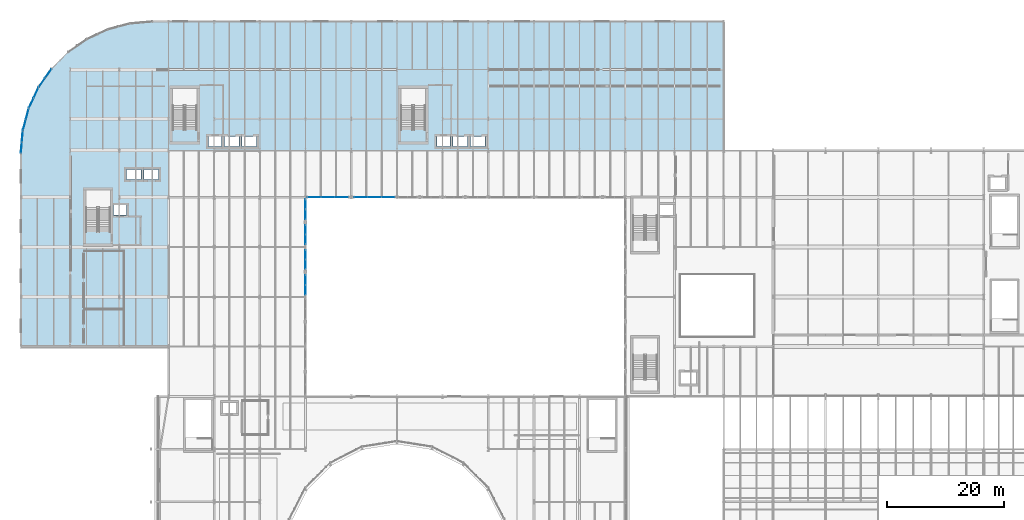
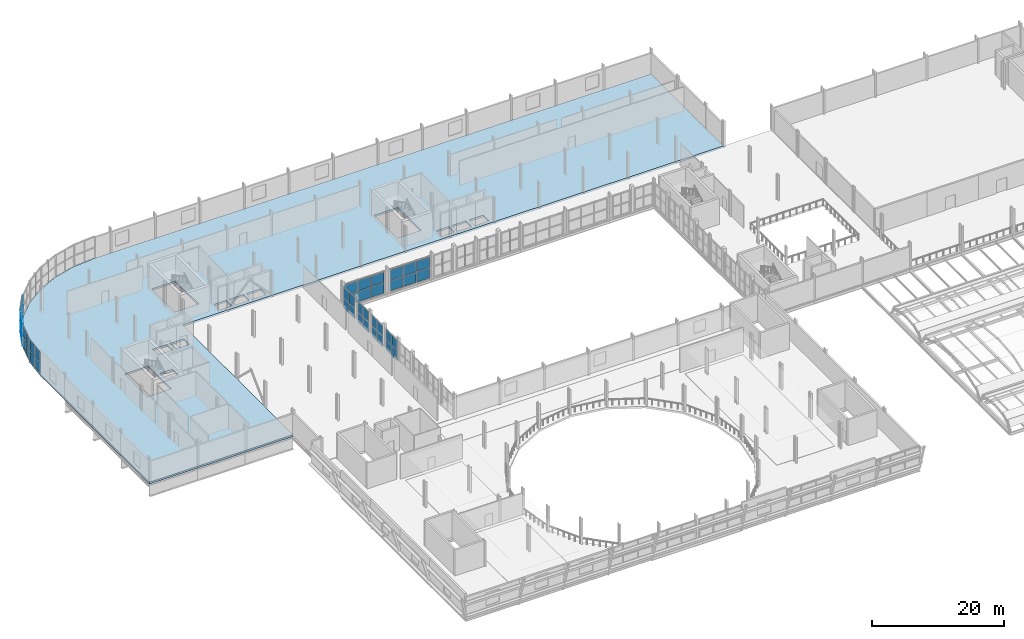
# One storey, part 37 of 63: 44 plates, 1 slab, 10 elements without a shape of their own.
"""IFC4 building model written with IfcOpenShell, lengths in metres."""

from ifc_helpers import new_model, si_unit, direction, frame, origin, origin_2d, place, context, subcontext, project, spatial, polyline, rectangle, outline, extrude, material, layer, layer_set, type_object, element, aggregate, save


model = new_model("IFC4")

# Units and contexts
model_context = context("Model", 3, precision=1e-05, world=origin(), true_north=direction((0.0, 1.0)))
body_context = subcontext(model_context, "Body", "Model", "MODEL_VIEW")
ifc_project = project(units=[si_unit("LENGTHUNIT", "METRE"), si_unit("AREAUNIT", "SQUARE_METRE"), si_unit("VOLUMEUNIT", "CUBIC_METRE"), si_unit("PLANEANGLEUNIT", "RADIAN"), si_unit("MASSUNIT", "GRAM", prefix="KILO")], contexts=[model_context])

# Site, building, storey
site_placement = place(None, origin())
site = spatial("IfcSite", under=ifc_project, at=site_placement, CompositionType="ELEMENT")
building_placement = place(site_placement, origin())
building = spatial("IfcBuilding", under=site, at=building_placement, Name="Sefraquen Railside Congress Hotel", CompositionType="ELEMENT")
storey_placement = place(building_placement, frame((0.0, 0.0, 11.39990234375)))
storey = spatial("IfcBuildingStorey", under=building, at=storey_placement, Name="L02", CompositionType="ELEMENT", Elevation=11.39990234375)

# Curtain wall, plates
ifc_material_1 = material(Name="Thermally broken anodised aluminium and low-E double glazing", Category="aluminium")
ifc_layer_1 = layer(ifc_material_1, 0.199951171875)
ifc_layer_set_1 = layer_set([ifc_layer_1], Name="Thermally broken anodised aluminium and low-E double glazing")
curtain_wall_type_1 = type_object("IfcCurtainWallType", Name="TCW-UCW-25", PredefinedType="USERDEFINED", material=ifc_layer_set_1)
curtain_wall_1_placement = place(storey_placement, origin())
curtain_wall_1 = element("IfcCurtainWall", 1, at=curtain_wall_1_placement, inside=storey, type_object=curtain_wall_type_1, Name="Courtyard north gallery curtain wall L02-1", ObjectType="UNITISED CURTAIN WALL", PredefinedType="USERDEFINED")
ifc_material_2 = material(Name="Solar-control low-E double glazing", Category="glass")
ifc_layer_2 = layer(ifc_material_2, 0.02392578125)
ifc_layer_set_2 = layer_set([ifc_layer_2], Name="Solar-control low-E double glazing")
plate_type_1 = type_object("IfcPlateType", Name="TP-CWP-01", PredefinedType="CURTAIN_PANEL", material=ifc_layer_set_2)
plate_1_placement = place(storey_placement, frame((50.078369140625, 88.0, 0.0400390625), z_axis=(0.0, 0.0, 1.0), x_axis=(1.0, 0.0, 0.0)))
plate_1 = element("IfcPlate", 2, at=plate_1_placement, type_object=plate_type_1, Name="CW-L02-057 panel 1.1", PredefinedType="CURTAIN_PANEL", context=body_context, shape_type="SweptSolid", body=[
    extrude(rectangle(XDim=2.24658203125, YDim=0.02392578125, at=origin_2d()), origin(), (0.0, 0.0, 1.0), 1.9150390625),
])
plate_2_placement = place(storey_placement, frame((52.4150390625, 88.0, 0.0400390625), z_axis=(0.0, 0.0, 1.0), x_axis=(1.0, 0.0, 0.0)))
plate_2 = element("IfcPlate", 3, at=plate_2_placement, type_object=plate_type_1, Name="CW-L02-057 panel 1.2", PredefinedType="CURTAIN_PANEL", context=body_context, shape_type="SweptSolid", body=[
    extrude(rectangle(XDim=2.24658203125, YDim=0.02392578125, at=origin_2d()), origin(), (0.0, 0.0, 1.0), 1.9150390625),
])
plate_3_placement = place(storey_placement, frame((54.751708984375, 88.0, 0.0400390625), z_axis=(0.0, 0.0, 1.0), x_axis=(1.0, 0.0, 0.0)))
plate_3 = element("IfcPlate", 4, at=plate_3_placement, type_object=plate_type_1, Name="CW-L02-057 panel 1.3", PredefinedType="CURTAIN_PANEL", context=body_context, shape_type="SweptSolid", body=[
    extrude(rectangle(XDim=2.24658203125, YDim=0.02392578125, at=origin_2d()), origin(), (0.0, 0.0, 1.0), 1.9150390625),
])

curtain_wall_2_placement = place(storey_placement, origin())
curtain_wall_2 = element("IfcCurtainWall", 5, at=curtain_wall_2_placement, inside=storey, type_object=curtain_wall_type_1, Name="Courtyard north gallery curtain wall L02-1 bay 2", ObjectType="UNITISED CURTAIN WALL", PredefinedType="USERDEFINED")
plate_4_placement = place(storey_placement, frame((58.04833984375, 88.0, 0.0400390625), z_axis=(0.0, 0.0, 1.0), x_axis=(1.0, 0.0, 0.0)))
plate_4 = element("IfcPlate", 6, at=plate_4_placement, type_object=plate_type_1, Name="CW-L02-057-S2 panel 1.1", PredefinedType="CURTAIN_PANEL", context=body_context, shape_type="SweptSolid", body=[
    extrude(rectangle(XDim=2.24658203125, YDim=0.02392578125, at=origin_2d()), origin(), (0.0, 0.0, 1.0), 1.9150390625),
])
plate_5_placement = place(storey_placement, frame((60.385009765625, 88.0, 0.0400390625), z_axis=(0.0, 0.0, 1.0), x_axis=(1.0, 0.0, 0.0)))
plate_5 = element("IfcPlate", 7, at=plate_5_placement, type_object=plate_type_1, Name="CW-L02-057-S2 panel 1.2", PredefinedType="CURTAIN_PANEL", context=body_context, shape_type="SweptSolid", body=[
    extrude(rectangle(XDim=2.24658203125, YDim=0.02392578125, at=origin_2d()), origin(), (0.0, 0.0, 1.0), 1.9150390625),
])
plate_6_placement = place(storey_placement, frame((62.7216796875, 88.0, 0.0400390625), z_axis=(0.0, 0.0, 1.0), x_axis=(1.0, 0.0, 0.0)))
plate_6 = element("IfcPlate", 8, at=plate_6_placement, type_object=plate_type_1, Name="CW-L02-057-S2 panel 1.3", PredefinedType="CURTAIN_PANEL", context=body_context, shape_type="SweptSolid", body=[
    extrude(rectangle(XDim=2.24658203125, YDim=0.02392578125, at=origin_2d()), origin(), (0.0, 0.0, 1.0), 1.9150390625),
])

ifc_layer_3 = layer(ifc_material_1, 0.199951171875)
ifc_layer_set_3 = layer_set([ifc_layer_3], Name="Thermally broken anodised aluminium and low-E double glazing")
curtain_wall_type_2 = type_object("IfcCurtainWallType", Name="TCW-UCW-30", PredefinedType="USERDEFINED", material=ifc_layer_set_3)
curtain_wall_3_placement = place(storey_placement, origin())
curtain_wall_3 = element("IfcCurtainWall", 9, at=curtain_wall_3_placement, inside=storey, type_object=curtain_wall_type_2, Name="Courtyard west gallery curtain wall L02", ObjectType="UNITISED CURTAIN WALL", PredefinedType="USERDEFINED")
plate_7_placement = place(storey_placement, frame((48.60009765625, 72.175048828125, 0.0400390625), z_axis=(0.0, 0.0, 1.0), x_axis=(0.0, 1.0, 0.0)))
plate_7 = element("IfcPlate", 10, at=plate_7_placement, type_object=plate_type_1, Name="CW-L02-062 panel 1.1", PredefinedType="CURTAIN_PANEL", context=body_context, shape_type="SweptSolid", body=[
    extrude(rectangle(XDim=1.639892578125, YDim=0.02392578125, at=origin_2d()), origin(), (0.0, 0.0, 1.0), 1.9150390625),
])
plate_8_placement = place(storey_placement, frame((48.60009765625, 73.905029296875, 0.0400390625), z_axis=(0.0, 0.0, 1.0), x_axis=(0.0, 1.0, 0.0)))
plate_8 = element("IfcPlate", 11, at=plate_8_placement, type_object=plate_type_1, Name="CW-L02-062 panel 1.2", PredefinedType="CURTAIN_PANEL", context=body_context, shape_type="SweptSolid", body=[
    extrude(rectangle(XDim=1.639892578125, YDim=0.02392578125, at=origin_2d()), origin(), (0.0, 0.0, 1.0), 1.9150390625),
])

curtain_wall_4_placement = place(storey_placement, origin())
curtain_wall_4 = element("IfcCurtainWall", 12, at=curtain_wall_4_placement, inside=storey, type_object=curtain_wall_type_2, Name="Courtyard west gallery curtain wall L02 bay 2", ObjectType="UNITISED CURTAIN WALL", PredefinedType="USERDEFINED")
plate_9_placement = place(storey_placement, frame((48.60009765625, 76.552490234375, 0.0400390625), z_axis=(0.0, 0.0, 1.0), x_axis=(0.0, 1.0, 0.0)))
plate_9 = element("IfcPlate", 13, at=plate_9_placement, type_object=plate_type_1, Name="CW-L02-062-S2 panel 1.1", PredefinedType="CURTAIN_PANEL", context=body_context, shape_type="SweptSolid", body=[
    extrude(rectangle(XDim=1.554931640625, YDim=0.02392578125, at=origin_2d()), origin(), (0.0, 0.0, 1.0), 1.9150390625),
])
plate_10_placement = place(storey_placement, frame((48.60009765625, 78.197509765625, 0.0400390625), z_axis=(0.0, 0.0, 1.0), x_axis=(0.0, 1.0, 0.0)))
plate_10 = element("IfcPlate", 14, at=plate_10_placement, type_object=plate_type_1, Name="CW-L02-062-S2 panel 1.2", PredefinedType="CURTAIN_PANEL", context=body_context, shape_type="SweptSolid", body=[
    extrude(rectangle(XDim=1.554931640625, YDim=0.02392578125, at=origin_2d()), origin(), (0.0, 0.0, 1.0), 1.9150390625),
])

curtain_wall_5_placement = place(storey_placement, origin())
curtain_wall_5 = element("IfcCurtainWall", 15, at=curtain_wall_5_placement, inside=storey, type_object=curtain_wall_type_2, Name="Courtyard west gallery curtain wall L02 bay 3", ObjectType="UNITISED CURTAIN WALL", PredefinedType="USERDEFINED")
plate_11_placement = place(storey_placement, frame((48.60009765625, 80.802490234375, 0.0400390625), z_axis=(0.0, 0.0, 1.0), x_axis=(0.0, 1.0, 0.0)))
plate_11 = element("IfcPlate", 16, at=plate_11_placement, type_object=plate_type_1, Name="CW-L02-062-S3 panel 1.1", PredefinedType="CURTAIN_PANEL", context=body_context, shape_type="SweptSolid", body=[
    extrude(rectangle(XDim=1.554931640625, YDim=0.02392578125, at=origin_2d()), origin(), (0.0, 0.0, 1.0), 1.9150390625),
])
plate_12_placement = place(storey_placement, frame((48.60009765625, 82.447509765625, 0.0400390625), z_axis=(0.0, 0.0, 1.0), x_axis=(0.0, 1.0, 0.0)))
plate_12 = element("IfcPlate", 17, at=plate_12_placement, type_object=plate_type_1, Name="CW-L02-062-S3 panel 1.2", PredefinedType="CURTAIN_PANEL", context=body_context, shape_type="SweptSolid", body=[
    extrude(rectangle(XDim=1.554931640625, YDim=0.02392578125, at=origin_2d()), origin(), (0.0, 0.0, 1.0), 1.9150390625),
])

curtain_wall_6_placement = place(storey_placement, origin())
curtain_wall_6 = element("IfcCurtainWall", 18, at=curtain_wall_6_placement, inside=storey, type_object=curtain_wall_type_2, Name="Courtyard west gallery curtain wall L02 bay 4", ObjectType="UNITISED CURTAIN WALL", PredefinedType="USERDEFINED")
plate_13_placement = place(storey_placement, frame((48.60009765625, 85.094970703125, 0.0400390625), z_axis=(0.0, 0.0, 1.0), x_axis=(0.0, 1.0, 0.0)))
plate_13 = element("IfcPlate", 19, at=plate_13_placement, type_object=plate_type_1, Name="CW-L02-062-S4 panel 1.1", PredefinedType="CURTAIN_PANEL", context=body_context, shape_type="SweptSolid", body=[
    extrude(rectangle(XDim=1.639892578125, YDim=0.02392578125, at=origin_2d()), origin(), (0.0, 0.0, 1.0), 1.9150390625),
])
plate_14_placement = place(storey_placement, frame((48.60009765625, 86.824951171875, 0.0400390625), z_axis=(0.0, 0.0, 1.0), x_axis=(0.0, 1.0, 0.0)))
plate_14 = element("IfcPlate", 20, at=plate_14_placement, type_object=plate_type_1, Name="CW-L02-062-S4 panel 1.2", PredefinedType="CURTAIN_PANEL", context=body_context, shape_type="SweptSolid", body=[
    extrude(rectangle(XDim=1.639892578125, YDim=0.02392578125, at=origin_2d()), origin(), (0.0, 0.0, 1.0), 1.9150390625),
])

ifc_layer_4 = layer(ifc_material_1, 0.199951171875)
ifc_layer_set_4 = layer_set([ifc_layer_4], Name="Thermally broken anodised aluminium and low-E double glazing")
curtain_wall_type_3 = type_object("IfcCurtainWallType", Name="TCW-UCW-24", PredefinedType="USERDEFINED", material=ifc_layer_set_4)
curtain_wall_7_placement = place(storey_placement, origin())
curtain_wall_7 = element("IfcCurtainWall", 21, at=curtain_wall_7_placement, inside=storey, type_object=curtain_wall_type_3, Name="Rotunda L02 curved curtain wall facet 6", ObjectType="UNITISED CURTAIN WALL", PredefinedType="USERDEFINED")
plate_15_placement = place(storey_placement, frame((4.690185546875, 109.14306640625, 0.0400390625), z_axis=(0.0, 0.0, 1.0), x_axis=(-0.573605029802, -0.819132022195, 0.0)))
plate_15 = element("IfcPlate", 22, at=plate_15_placement, type_object=plate_type_1, Name="CW-L02-ROT-06 panel 1.1", PredefinedType="CURTAIN_PANEL", context=body_context, shape_type="SweptSolid", body=[
    extrude(rectangle(XDim=1.8310546875, YDim=0.02392578125, at=origin_2d()), origin(), (0.0, 0.0, 1.0), 1.955078125),
])
plate_16_placement = place(storey_placement, frame((3.58837890625, 107.569580078125, 0.0400390625), z_axis=(0.0, 0.0, 1.0), x_axis=(-0.573605029802, -0.819132022195, 0.0)))
plate_16 = element("IfcPlate", 23, at=plate_16_placement, type_object=plate_type_1, Name="CW-L02-ROT-06 panel 1.2", PredefinedType="CURTAIN_PANEL", context=body_context, shape_type="SweptSolid", body=[
    extrude(rectangle(XDim=1.8310546875, YDim=0.02392578125, at=origin_2d()), origin(), (0.0, 0.0, 1.0), 1.955078125),
])

curtain_wall_8_placement = place(storey_placement, origin())
curtain_wall_8 = element("IfcCurtainWall", 24, at=curtain_wall_8_placement, inside=storey, type_object=curtain_wall_type_1, Name="Rotunda L02 curved curtain wall facet 7", ObjectType="UNITISED CURTAIN WALL", PredefinedType="USERDEFINED")
plate_17_placement = place(storey_placement, frame((2.591552734375, 105.84326171875, 0.0400390625), z_axis=(0.0, 0.0, 1.0), x_axis=(-0.422634079731, -0.906300410818, 0.0)))
plate_17 = element("IfcPlate", 25, at=plate_17_placement, type_object=plate_type_1, Name="CW-L02-ROT-07 panel 1.1", PredefinedType="CURTAIN_PANEL", context=body_context, shape_type="SweptSolid", body=[
    extrude(rectangle(XDim=1.830810546875, YDim=0.02392578125, at=origin_2d()), origin(), (0.0, 0.0, 1.0), 1.955078125),
])
plate_18_placement = place(storey_placement, frame((1.77978515625, 104.102294921875, 0.0400390625), z_axis=(0.0, 0.0, 1.0), x_axis=(-0.422634079731, -0.906300410818, 0.0)))
plate_18 = element("IfcPlate", 26, at=plate_18_placement, type_object=plate_type_1, Name="CW-L02-ROT-07 panel 1.2", PredefinedType="CURTAIN_PANEL", context=body_context, shape_type="SweptSolid", body=[
    extrude(rectangle(XDim=1.830810546875, YDim=0.02392578125, at=origin_2d()), origin(), (0.0, 0.0, 1.0), 1.955078125),
])

ifc_layer_5 = layer(ifc_material_1, 0.199951171875)
ifc_layer_set_5 = layer_set([ifc_layer_5], Name="Thermally broken anodised aluminium and low-E double glazing")
curtain_wall_type_4 = type_object("IfcCurtainWallType", Name="TCW-UCW-26", PredefinedType="USERDEFINED", material=ifc_layer_set_5)
curtain_wall_9_placement = place(storey_placement, origin())
curtain_wall_9 = element("IfcCurtainWall", 27, at=curtain_wall_9_placement, inside=storey, type_object=curtain_wall_type_4, Name="Rotunda L02 curved curtain wall facet 8", ObjectType="UNITISED CURTAIN WALL", PredefinedType="USERDEFINED")
plate_19_placement = place(storey_placement, frame((1.097900390625, 102.22900390625, 0.0400390625), z_axis=(0.0, 0.0, 1.0), x_axis=(-0.258785327773, -0.96593486019, 0.0)))
plate_19 = element("IfcPlate", 28, at=plate_19_placement, type_object=plate_type_1, Name="CW-L02-ROT-08 panel 1.1", PredefinedType="CURTAIN_PANEL", context=body_context, shape_type="SweptSolid", body=[
    extrude(rectangle(XDim=1.8310546875, YDim=0.02392578125, at=origin_2d()), origin(), (0.0, 0.0, 1.0), 1.955078125),
])
plate_20_placement = place(storey_placement, frame((0.6005859375, 100.37353515625, 0.0400390625), z_axis=(0.0, 0.0, 1.0), x_axis=(-0.258785327773, -0.96593486019, 0.0)))
plate_20 = element("IfcPlate", 29, at=plate_20_placement, type_object=plate_type_1, Name="CW-L02-ROT-08 panel 1.2", PredefinedType="CURTAIN_PANEL", context=body_context, shape_type="SweptSolid", body=[
    extrude(rectangle(XDim=1.8310546875, YDim=0.02392578125, at=origin_2d()), origin(), (0.0, 0.0, 1.0), 1.955078125),
])

ifc_layer_6 = layer(ifc_material_1, 0.199951171875)
ifc_layer_set_6 = layer_set([ifc_layer_6], Name="Thermally broken anodised aluminium and low-E double glazing")
curtain_wall_type_5 = type_object("IfcCurtainWallType", Name="TCW-UCW-27", PredefinedType="USERDEFINED", material=ifc_layer_set_6)
curtain_wall_10_placement = place(storey_placement, origin())
curtain_wall_10 = element("IfcCurtainWall", 30, at=curtain_wall_10_placement, inside=storey, type_object=curtain_wall_type_5, Name="Rotunda L02 curved curtain wall facet 9", ObjectType="UNITISED CURTAIN WALL", PredefinedType="USERDEFINED")
plate_21_placement = place(storey_placement, frame((0.254638671875, 98.410400390625, 0.0400390625), z_axis=(0.0, 0.0, 1.0), x_axis=(-0.087138355857, -0.996196219095, 0.0)))
plate_21 = element("IfcPlate", 31, at=plate_21_placement, type_object=plate_type_1, Name="CW-L02-ROT-09 panel 1.1", PredefinedType="CURTAIN_PANEL", context=body_context, shape_type="SweptSolid", body=[
    extrude(rectangle(XDim=1.8310546875, YDim=0.02392578125, at=origin_2d()), origin(), (0.0, 0.0, 1.0), 1.955078125),
])
plate_22_placement = place(storey_placement, frame((0.087158203125, 96.49658203125, 0.0400390625), z_axis=(0.0, 0.0, 1.0), x_axis=(-0.087138355857, -0.996196219095, 0.0)))
plate_22 = element("IfcPlate", 32, at=plate_22_placement, type_object=plate_type_1, Name="CW-L02-ROT-09 panel 1.2", PredefinedType="CURTAIN_PANEL", context=body_context, shape_type="SweptSolid", body=[
    extrude(rectangle(XDim=1.8310546875, YDim=0.02392578125, at=origin_2d()), origin(), (0.0, 0.0, 1.0), 1.955078125),
])

# Plate
ifc_material_3 = material(Name="Triple acoustic solar-control glazing", Category="glass")
ifc_layer_7 = layer(ifc_material_3, 0.031982421875)
ifc_layer_set_7 = layer_set([ifc_layer_7], Name="Triple acoustic solar-control glazing")
plate_type_2 = type_object("IfcPlateType", Name="TP-CWP-02", PredefinedType="CURTAIN_PANEL", material=ifc_layer_set_7)
plate_23_placement = place(storey_placement, frame((50.078369140625, 88.0, 2.03515625), z_axis=(0.0, 0.0, 1.0), x_axis=(1.0, 0.0, 0.0)))
plate_23 = element("IfcPlate", 33, at=plate_23_placement, type_object=plate_type_2, Name="CW-L02-057 panel 2.1", PredefinedType="CURTAIN_PANEL", context=body_context, shape_type="SweptSolid", body=[
    extrude(rectangle(XDim=2.24658203125, YDim=0.031982421875, at=origin_2d()), origin(), (0.0, 0.0, 1.0), 1.9150390625),
])

plate_24_placement = place(storey_placement, frame((52.4150390625, 88.0, 2.03515625), z_axis=(0.0, 0.0, 1.0), x_axis=(1.0, 0.0, 0.0)))
plate_24 = element("IfcPlate", 34, at=plate_24_placement, type_object=plate_type_2, Name="CW-L02-057 panel 2.2", PredefinedType="CURTAIN_PANEL", context=body_context, shape_type="SweptSolid", body=[
    extrude(rectangle(XDim=2.24658203125, YDim=0.031982421875, at=origin_2d()), origin(), (0.0, 0.0, 1.0), 1.9150390625),
])

plate_25_placement = place(storey_placement, frame((54.751708984375, 88.0, 2.03515625), z_axis=(0.0, 0.0, 1.0), x_axis=(1.0, 0.0, 0.0)))
plate_25 = element("IfcPlate", 35, at=plate_25_placement, type_object=plate_type_2, Name="CW-L02-057 panel 2.3", PredefinedType="CURTAIN_PANEL", context=body_context, shape_type="SweptSolid", body=[
    extrude(rectangle(XDim=2.24658203125, YDim=0.031982421875, at=origin_2d()), origin(), (0.0, 0.0, 1.0), 1.9150390625),
])

aggregate(curtain_wall_1, [plate_1, plate_2, plate_3, plate_23, plate_24, plate_25])

plate_26_placement = place(storey_placement, frame((58.04833984375, 88.0, 2.03515625), z_axis=(0.0, 0.0, 1.0), x_axis=(1.0, 0.0, 0.0)))
plate_26 = element("IfcPlate", 36, at=plate_26_placement, type_object=plate_type_2, Name="CW-L02-057-S2 panel 2.1", PredefinedType="CURTAIN_PANEL", context=body_context, shape_type="SweptSolid", body=[
    extrude(rectangle(XDim=2.24658203125, YDim=0.031982421875, at=origin_2d()), origin(), (0.0, 0.0, 1.0), 1.9150390625),
])

plate_27_placement = place(storey_placement, frame((60.385009765625, 88.0, 2.03515625), z_axis=(0.0, 0.0, 1.0), x_axis=(1.0, 0.0, 0.0)))
plate_27 = element("IfcPlate", 37, at=plate_27_placement, type_object=plate_type_2, Name="CW-L02-057-S2 panel 2.2", PredefinedType="CURTAIN_PANEL", context=body_context, shape_type="SweptSolid", body=[
    extrude(rectangle(XDim=2.24658203125, YDim=0.031982421875, at=origin_2d()), origin(), (0.0, 0.0, 1.0), 1.9150390625),
])

plate_28_placement = place(storey_placement, frame((62.7216796875, 88.0, 2.03515625), z_axis=(0.0, 0.0, 1.0), x_axis=(1.0, 0.0, 0.0)))
plate_28 = element("IfcPlate", 38, at=plate_28_placement, type_object=plate_type_2, Name="CW-L02-057-S2 panel 2.3", PredefinedType="CURTAIN_PANEL", context=body_context, shape_type="SweptSolid", body=[
    extrude(rectangle(XDim=2.24658203125, YDim=0.031982421875, at=origin_2d()), origin(), (0.0, 0.0, 1.0), 1.9150390625),
])

aggregate(curtain_wall_2, [plate_4, plate_5, plate_6, plate_26, plate_27, plate_28])

plate_29_placement = place(storey_placement, frame((48.60009765625, 72.175048828125, 2.03515625), z_axis=(0.0, 0.0, 1.0), x_axis=(0.0, 1.0, 0.0)))
plate_29 = element("IfcPlate", 39, at=plate_29_placement, type_object=plate_type_2, Name="CW-L02-062 panel 2.1", PredefinedType="CURTAIN_PANEL", context=body_context, shape_type="SweptSolid", body=[
    extrude(rectangle(XDim=1.639892578125, YDim=0.031982421875, at=origin_2d()), origin(), (0.0, 0.0, 1.0), 1.9150390625),
])

plate_30_placement = place(storey_placement, frame((48.60009765625, 73.905029296875, 2.03515625), z_axis=(0.0, 0.0, 1.0), x_axis=(0.0, 1.0, 0.0)))
plate_30 = element("IfcPlate", 40, at=plate_30_placement, type_object=plate_type_2, Name="CW-L02-062 panel 2.2", PredefinedType="CURTAIN_PANEL", context=body_context, shape_type="SweptSolid", body=[
    extrude(rectangle(XDim=1.639892578125, YDim=0.031982421875, at=origin_2d()), origin(), (0.0, 0.0, 1.0), 1.9150390625),
])

aggregate(curtain_wall_3, [plate_7, plate_8, plate_29, plate_30])

plate_31_placement = place(storey_placement, frame((48.60009765625, 76.552490234375, 2.03515625), z_axis=(0.0, 0.0, 1.0), x_axis=(0.0, 1.0, 0.0)))
plate_31 = element("IfcPlate", 41, at=plate_31_placement, type_object=plate_type_2, Name="CW-L02-062-S2 panel 2.1", PredefinedType="CURTAIN_PANEL", context=body_context, shape_type="SweptSolid", body=[
    extrude(rectangle(XDim=1.554931640625, YDim=0.031982421875, at=origin_2d()), origin(), (0.0, 0.0, 1.0), 1.9150390625),
])

plate_32_placement = place(storey_placement, frame((48.60009765625, 78.197509765625, 2.03515625), z_axis=(0.0, 0.0, 1.0), x_axis=(0.0, 1.0, 0.0)))
plate_32 = element("IfcPlate", 42, at=plate_32_placement, type_object=plate_type_2, Name="CW-L02-062-S2 panel 2.2", PredefinedType="CURTAIN_PANEL", context=body_context, shape_type="SweptSolid", body=[
    extrude(rectangle(XDim=1.554931640625, YDim=0.031982421875, at=origin_2d()), origin(), (0.0, 0.0, 1.0), 1.9150390625),
])

aggregate(curtain_wall_4, [plate_9, plate_10, plate_31, plate_32])

plate_33_placement = place(storey_placement, frame((48.60009765625, 80.802490234375, 2.03515625), z_axis=(0.0, 0.0, 1.0), x_axis=(0.0, 1.0, 0.0)))
plate_33 = element("IfcPlate", 43, at=plate_33_placement, type_object=plate_type_2, Name="CW-L02-062-S3 panel 2.1", PredefinedType="CURTAIN_PANEL", context=body_context, shape_type="SweptSolid", body=[
    extrude(rectangle(XDim=1.554931640625, YDim=0.031982421875, at=origin_2d()), origin(), (0.0, 0.0, 1.0), 1.9150390625),
])

plate_34_placement = place(storey_placement, frame((48.60009765625, 82.447509765625, 2.03515625), z_axis=(0.0, 0.0, 1.0), x_axis=(0.0, 1.0, 0.0)))
plate_34 = element("IfcPlate", 44, at=plate_34_placement, type_object=plate_type_2, Name="CW-L02-062-S3 panel 2.2", PredefinedType="CURTAIN_PANEL", context=body_context, shape_type="SweptSolid", body=[
    extrude(rectangle(XDim=1.554931640625, YDim=0.031982421875, at=origin_2d()), origin(), (0.0, 0.0, 1.0), 1.9150390625),
])

aggregate(curtain_wall_5, [plate_11, plate_12, plate_33, plate_34])

plate_35_placement = place(storey_placement, frame((48.60009765625, 85.094970703125, 2.03515625), z_axis=(0.0, 0.0, 1.0), x_axis=(0.0, 1.0, 0.0)))
plate_35 = element("IfcPlate", 45, at=plate_35_placement, type_object=plate_type_2, Name="CW-L02-062-S4 panel 2.1", PredefinedType="CURTAIN_PANEL", context=body_context, shape_type="SweptSolid", body=[
    extrude(rectangle(XDim=1.639892578125, YDim=0.031982421875, at=origin_2d()), origin(), (0.0, 0.0, 1.0), 1.9150390625),
])

plate_36_placement = place(storey_placement, frame((48.60009765625, 86.824951171875, 2.03515625), z_axis=(0.0, 0.0, 1.0), x_axis=(0.0, 1.0, 0.0)))
plate_36 = element("IfcPlate", 46, at=plate_36_placement, type_object=plate_type_2, Name="CW-L02-062-S4 panel 2.2", PredefinedType="CURTAIN_PANEL", context=body_context, shape_type="SweptSolid", body=[
    extrude(rectangle(XDim=1.639892578125, YDim=0.031982421875, at=origin_2d()), origin(), (0.0, 0.0, 1.0), 1.9150390625),
])

aggregate(curtain_wall_6, [plate_13, plate_14, plate_35, plate_36])

plate_37_placement = place(storey_placement, frame((4.690185546875, 109.14306640625, 2.074951171875), z_axis=(0.0, 0.0, 1.0), x_axis=(-0.573605029802, -0.819132022195, 0.0)))
plate_37 = element("IfcPlate", 47, at=plate_37_placement, type_object=plate_type_2, Name="CW-L02-ROT-06 panel 2.1", PredefinedType="CURTAIN_PANEL", context=body_context, shape_type="SweptSolid", body=[
    extrude(rectangle(XDim=1.8310546875, YDim=0.031982421875, at=origin_2d()), origin(), (0.0, 0.0, 1.0), 1.955078125),
])

plate_38_placement = place(storey_placement, frame((3.58837890625, 107.569580078125, 2.074951171875), z_axis=(0.0, 0.0, 1.0), x_axis=(-0.573605029802, -0.819132022195, 0.0)))
plate_38 = element("IfcPlate", 48, at=plate_38_placement, type_object=plate_type_2, Name="CW-L02-ROT-06 panel 2.2", PredefinedType="CURTAIN_PANEL", context=body_context, shape_type="SweptSolid", body=[
    extrude(rectangle(XDim=1.8310546875, YDim=0.031982421875, at=origin_2d()), origin(), (0.0, 0.0, 1.0), 1.955078125),
])

aggregate(curtain_wall_7, [plate_15, plate_16, plate_37, plate_38])

plate_39_placement = place(storey_placement, frame((2.591552734375, 105.84326171875, 2.074951171875), z_axis=(0.0, 0.0, 1.0), x_axis=(-0.422634079731, -0.906300410818, 0.0)))
plate_39 = element("IfcPlate", 49, at=plate_39_placement, type_object=plate_type_2, Name="CW-L02-ROT-07 panel 2.1", PredefinedType="CURTAIN_PANEL", context=body_context, shape_type="SweptSolid", body=[
    extrude(rectangle(XDim=1.830810546875, YDim=0.031982421875, at=origin_2d()), origin(), (0.0, 0.0, 1.0), 1.955078125),
])

plate_40_placement = place(storey_placement, frame((1.77978515625, 104.102294921875, 2.074951171875), z_axis=(0.0, 0.0, 1.0), x_axis=(-0.422634079731, -0.906300410818, 0.0)))
plate_40 = element("IfcPlate", 50, at=plate_40_placement, type_object=plate_type_2, Name="CW-L02-ROT-07 panel 2.2", PredefinedType="CURTAIN_PANEL", context=body_context, shape_type="SweptSolid", body=[
    extrude(rectangle(XDim=1.830810546875, YDim=0.031982421875, at=origin_2d()), origin(), (0.0, 0.0, 1.0), 1.955078125),
])

aggregate(curtain_wall_8, [plate_17, plate_18, plate_39, plate_40])

plate_41_placement = place(storey_placement, frame((1.097900390625, 102.22900390625, 2.074951171875), z_axis=(0.0, 0.0, 1.0), x_axis=(-0.258785327773, -0.96593486019, 0.0)))
plate_41 = element("IfcPlate", 51, at=plate_41_placement, type_object=plate_type_2, Name="CW-L02-ROT-08 panel 2.1", PredefinedType="CURTAIN_PANEL", context=body_context, shape_type="SweptSolid", body=[
    extrude(rectangle(XDim=1.8310546875, YDim=0.031982421875, at=origin_2d()), origin(), (0.0, 0.0, 1.0), 1.955078125),
])

plate_42_placement = place(storey_placement, frame((0.6005859375, 100.37353515625, 2.074951171875), z_axis=(0.0, 0.0, 1.0), x_axis=(-0.258785327773, -0.96593486019, 0.0)))
plate_42 = element("IfcPlate", 52, at=plate_42_placement, type_object=plate_type_2, Name="CW-L02-ROT-08 panel 2.2", PredefinedType="CURTAIN_PANEL", context=body_context, shape_type="SweptSolid", body=[
    extrude(rectangle(XDim=1.8310546875, YDim=0.031982421875, at=origin_2d()), origin(), (0.0, 0.0, 1.0), 1.955078125),
])

aggregate(curtain_wall_9, [plate_19, plate_20, plate_41, plate_42])

plate_43_placement = place(storey_placement, frame((0.254638671875, 98.410400390625, 2.074951171875), z_axis=(0.0, 0.0, 1.0), x_axis=(-0.087138355857, -0.996196219095, 0.0)))
plate_43 = element("IfcPlate", 53, at=plate_43_placement, type_object=plate_type_2, Name="CW-L02-ROT-09 panel 2.1", PredefinedType="CURTAIN_PANEL", context=body_context, shape_type="SweptSolid", body=[
    extrude(rectangle(XDim=1.8310546875, YDim=0.031982421875, at=origin_2d()), origin(), (0.0, 0.0, 1.0), 1.955078125),
])

plate_44_placement = place(storey_placement, frame((0.087158203125, 96.49658203125, 2.074951171875), z_axis=(0.0, 0.0, 1.0), x_axis=(-0.087138355857, -0.996196219095, 0.0)))
plate_44 = element("IfcPlate", 54, at=plate_44_placement, type_object=plate_type_2, Name="CW-L02-ROT-09 panel 2.2", PredefinedType="CURTAIN_PANEL", context=body_context, shape_type="SweptSolid", body=[
    extrude(rectangle(XDim=1.8310546875, YDim=0.031982421875, at=origin_2d()), origin(), (0.0, 0.0, 1.0), 1.955078125),
])

aggregate(curtain_wall_10, [plate_21, plate_22, plate_43, plate_44])

# Slab
ifc_material_4 = material(Name="Concrete C40/50", Category="concrete")
ifc_layer_8 = layer(ifc_material_4, 0.35009765625)
ifc_layer_set_8 = layer_set([ifc_layer_8], Name="Concrete C40/50")
slab_type = type_object("IfcSlabType", Name="TS-FS-350", PredefinedType="FLOOR", material=ifc_layer_set_8)
slab_placement = place(storey_placement, frame((0.0, 0.0, -0.349853515625)))
element("IfcSlab", 55, at=slab_placement, inside=storey, type_object=slab_type, Name="Hotel Wing L02 boardroom transfer floor slab", PredefinedType="FLOOR", context=body_context, shape_type="SweptSolid", body=[
    extrude(outline(polyline([(0.0, 62.5), (25.199951171875, 62.5), (25.199951171875, 96.0), (120.0, 96.0), (120.0, 118.0), (22.5, 118.0), (18.593017578125, 117.658203125), (14.804443359375, 116.64306640625), (11.25, 114.985595703125), (8.037353515625, 112.736083984375), (5.263916015625, 109.962646484375), (3.014404296875, 106.75), (1.35693359375, 103.195556640625), (0.341796875, 99.406982421875), (0.0, 95.5), (0.0, 62.5)]), holes=[polyline([(11.10009765625, 82.219970703125), (15.260009765625, 82.219970703125), (15.260009765625, 89.2119140625), (11.10009765625, 89.2119140625), (11.10009765625, 82.219970703125)]), polyline([(25.89990234375, 99.6201171875), (30.06005859375, 99.6201171875), (30.06005859375, 106.612060546875), (25.89990234375, 106.612060546875), (25.89990234375, 99.6201171875)]), polyline([(64.89990234375, 99.6201171875), (69.06005859375, 99.6201171875), (69.06005859375, 106.612060546875), (64.89990234375, 106.612060546875), (64.89990234375, 99.6201171875)]), polyline([(15.830078125, 84.949951171875), (18.030029296875, 84.949951171875), (18.030029296875, 86.64990234375), (15.830078125, 86.64990234375), (15.830078125, 84.949951171875)]), polyline([(32.06005859375, 96.64990234375), (34.260009765625, 96.64990234375), (34.260009765625, 98.35009765625), (32.06005859375, 98.35009765625), (32.06005859375, 96.64990234375)]), polyline([(71.06005859375, 96.64990234375), (73.260009765625, 96.64990234375), (73.260009765625, 98.35009765625), (71.06005859375, 98.35009765625), (71.06005859375, 96.64990234375)]), polyline([(18.050048828125, 91.050048828125), (20.550048828125, 91.050048828125), (20.550048828125, 92.75), (18.050048828125, 92.75), (18.050048828125, 91.050048828125)]), polyline([(21.0400390625, 91.050048828125), (23.5400390625, 91.050048828125), (23.5400390625, 92.75), (21.0400390625, 92.75), (21.0400390625, 91.050048828125)]), polyline([(34.75, 96.64990234375), (37.25, 96.64990234375), (37.25, 98.35009765625), (34.75, 98.35009765625), (34.75, 96.64990234375)]), polyline([(37.739990234375, 96.64990234375), (40.239990234375, 96.64990234375), (40.239990234375, 98.35009765625), (37.739990234375, 98.35009765625), (37.739990234375, 96.64990234375)]), polyline([(73.75, 96.64990234375), (76.25, 96.64990234375), (76.25, 98.35009765625), (73.75, 98.35009765625), (73.75, 96.64990234375)]), polyline([(76.739990234375, 96.64990234375), (79.239990234375, 96.64990234375), (79.239990234375, 98.35009765625), (76.739990234375, 98.35009765625), (76.739990234375, 96.64990234375)])]), origin(), (0.0, 0.0, 1.0), 0.349853515625),
])

save(model, "model.ifc")
